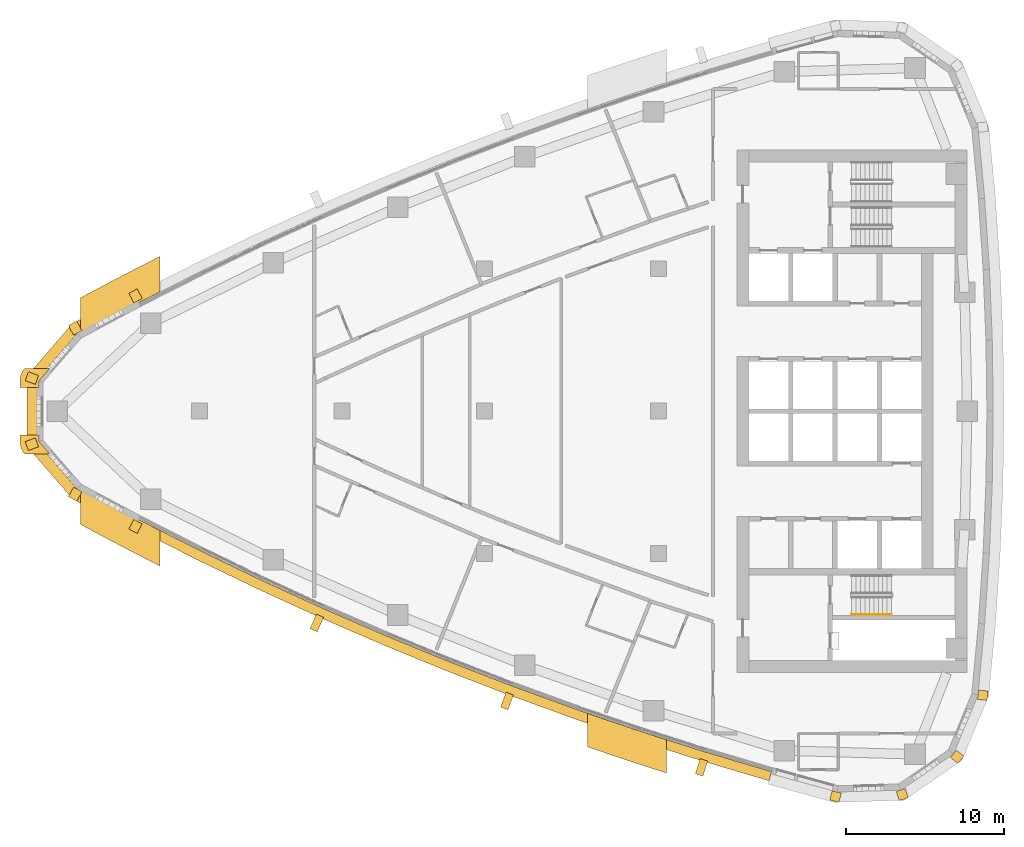
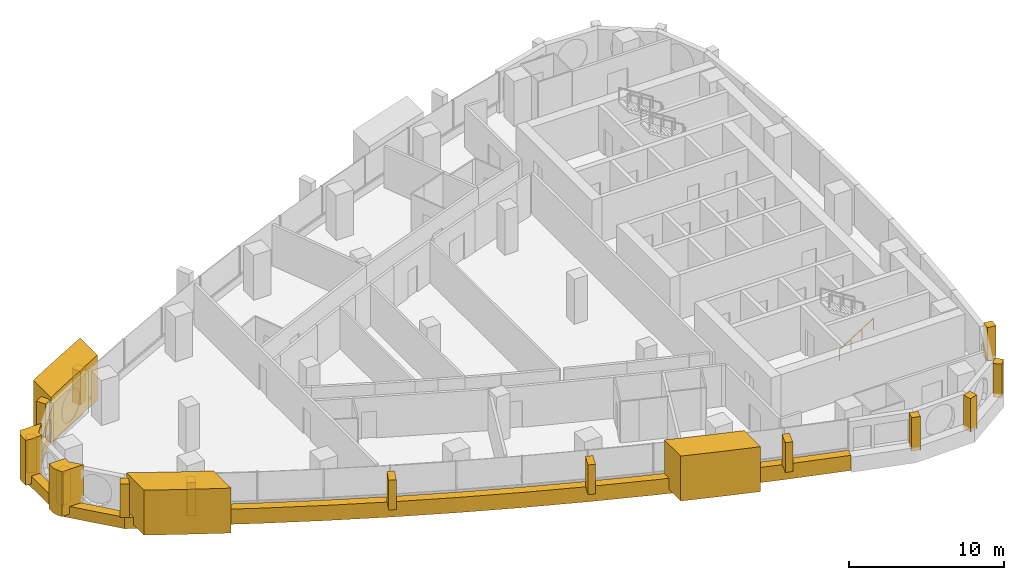
# One storey, part 13 of 16: 20 coverings, 1 railing.
"""IFC4 building model written with IfcOpenShell, lengths in metres."""

from ifc_helpers import new_model, si_unit, direction, frame, frame_2d, origin, origin_2d, place, context, subcontext, project, spatial, polyline, rectangle, circle, outline, extrude, material, layer, layer_set, type_object, element, save


model = new_model("IFC4")

# Units and contexts
model_context = context("Model", 3, precision=1e-05, world=origin(), true_north=direction((0.0, 1.0)))
body_context = subcontext(model_context, "Body", "Model", "MODEL_VIEW")
ifc_project = project(units=[si_unit("LENGTHUNIT", "METRE"), si_unit("AREAUNIT", "SQUARE_METRE"), si_unit("VOLUMEUNIT", "CUBIC_METRE"), si_unit("PLANEANGLEUNIT", "RADIAN"), si_unit("MASSUNIT", "GRAM", prefix="KILO")], contexts=[model_context])

# Site, building, storey
site_placement = place(None, origin())
site = spatial("IfcSite", under=ifc_project, at=site_placement, CompositionType="ELEMENT")
building_placement = place(site_placement, origin())
building = spatial("IfcBuilding", under=site, at=building_placement, Name="Ostrand Prow Hotel Tower", CompositionType="ELEMENT")
storey_placement = place(building_placement, frame((0.0, 0.0, 186.14990234375)))
storey = spatial("IfcBuildingStorey", under=building, at=storey_placement, Name="L46", CompositionType="ELEMENT", Elevation=186.14990234375)

# Coverings
ifc_material_1 = material(Name="Bronze anodised aluminium cladding", Category="aluminium")
ifc_layer_1 = layer(ifc_material_1, 0.60009765625)
ifc_layer_set_1 = layer_set([ifc_layer_1], Name="Bronze anodised aluminium cladding")
covering_type_1 = type_object("IfcCoveringType", Name="Bronze prow band 899x600", PredefinedType="CLADDING", material=ifc_layer_set_1)
covering_1_placement = place(storey_placement, frame((0.0, 0.0, -0.2998046875)))
element("IfcCovering", 1, at=covering_1_placement, inside=storey, type_object=covering_type_1, Name="Bronze prow band", PredefinedType="CLADDING", context=body_context, shape_type="SweptSolid", body=[
    extrude(outline(polyline([(11.8037109375, 7.58154296875), (7.9873046875, 5.546630859375), (5.09521484375, 2.20849609375), (5.09521484375, -2.20849609375), (7.9873046875, -5.546630859375), (11.8037109375, -7.58154296875), (12.117431640625, -6.978515625), (8.3134765625, -4.949951171875), (5.732421875, -1.970703125), (5.732421875, 1.970703125), (8.3134765625, 4.949951171875), (12.117431640625, 6.978515625), (11.8037109375, 7.58154296875)])), origin(), (0.0, 0.0, 1.0), 0.89990234375),
])
ifc_material_2 = material(Name="Bronze anodised aluminium cladding", Category="aluminium")
ifc_layer_2 = layer(ifc_material_2, 0.60009765625)
ifc_layer_set_2 = layer_set([ifc_layer_2], Name="Bronze anodised aluminium cladding")
covering_type_2 = type_object("IfcCoveringType", Name="Bronze spandrel band 1200x600", PredefinedType="CLADDING", material=ifc_layer_set_2)
covering_2_placement = place(storey_placement, frame((0.0, 0.0, -0.2998046875)))
element("IfcCovering", 2, at=covering_2_placement, inside=storey, type_object=covering_type_2, Name="Spandrel band S1", PredefinedType="CLADDING", context=body_context, shape_type="SweptSolid", body=[
    extrude(outline(polyline([(11.9052734375, -7.38623046875), (15.757568359375, -9.341796875), (19.648681640625, -11.219482421875), (23.57666015625, -13.0185546875), (27.5400390625, -14.738037109375), (31.537353515625, -16.37744140625), (35.566650390625, -17.93603515625), (39.626708984375, -19.4130859375), (43.7158203125, -20.80810546875), (47.831787109375, -22.12060546875), (51.9736328125, -23.35009765625), (52.138427734375, -22.773193359375), (48.00830078125, -21.547119140625), (43.90380859375, -20.23828125), (39.826171875, -18.84716796875), (35.777587890625, -17.374267578125), (31.759521484375, -15.820068359375), (27.773193359375, -14.185302734375), (23.821044921875, -12.470458984375), (19.90380859375, -10.676513671875), (16.023681640625, -8.80419921875), (12.18212890625, -6.85400390625), (11.9052734375, -7.38623046875)])), origin(), (0.0, 0.0, 1.0), 1.199951171875),
])
ifc_material_3 = material(Name="Limestone cladding", Category="masonry")
ifc_layer_3 = layer(ifc_material_3, 5.0)
ifc_layer_set_3 = layer_set([ifc_layer_3], Name="Limestone cladding")
covering_type_3 = type_object("IfcCoveringType", Name="Portal jamb pilaster limestone", PredefinedType="CLADDING", material=ifc_layer_set_3)
covering_3_placement = place(storey_placement, origin())
element("IfcCovering", 3, at=covering_3_placement, inside=storey, type_object=covering_type_3, Name="Portal jamb SA L46", PredefinedType="CLADDING", context=body_context, shape_type="SweptSolid", body=[
    extrude(outline(polyline([(8.5, -4.89208984375), (8.5, -7.1669921875), (9.5, -7.702392578125), (10.5, -8.231201171875), (11.5, -8.75341796875), (12.5, -9.268798828125), (13.5, -9.777587890625), (13.5, -7.533935546875), (12.5, -7.01904296875), (11.5, -6.497314453125), (10.5, -5.968994140625), (9.5, -5.43408203125), (8.5, -4.89208984375)])), origin(), (0.0, 0.0, 1.0), 3.550048828125),
])
covering_4_placement = place(storey_placement, origin())
element("IfcCovering", 4, at=covering_4_placement, inside=storey, type_object=covering_type_3, Name="Portal jamb SB L46", PredefinedType="CLADDING", context=body_context, shape_type="SweptSolid", body=[
    extrude(outline(polyline([(40.5, -19.08349609375), (40.5, -21.200439453125), (41.5, -21.542724609375), (42.5, -21.879638671875), (43.5, -22.211181640625), (44.5, -22.537109375), (45.5, -22.85791015625), (45.5, -20.75830078125), (44.5, -20.43408203125), (43.5, -20.104736328125), (42.5, -19.769775390625), (41.5, -19.429443359375), (40.5, -19.08349609375)])), origin(), (0.0, 0.0, 1.0), 3.550048828125),
])
covering_5_placement = place(storey_placement, origin())
element("IfcCovering", 5, at=covering_5_placement, inside=storey, type_object=covering_type_3, Name="Portal jamb NA L46", PredefinedType="CLADDING", context=body_context, shape_type="SweptSolid", body=[
    extrude(outline(polyline([(8.5, 4.89208984375), (9.5, 5.43408203125), (10.5, 5.968994140625), (11.5, 6.497314453125), (12.5, 7.01904296875), (13.5, 7.533935546875), (13.5, 9.777587890625), (12.5, 9.268798828125), (11.5, 8.75341796875), (10.5, 8.231201171875), (9.5, 7.702392578125), (8.5, 7.1669921875), (8.5, 4.89208984375)])), origin(), (0.0, 0.0, 1.0), 3.550048828125),
])
ifc_material_4 = material(Name="Limestone cladding", Category="masonry")
ifc_layer_4 = layer(ifc_material_4, 0.5)
ifc_layer_set_4 = layer_set([ifc_layer_4], Name="Limestone cladding")
covering_type_4 = type_object("IfcCoveringType", Name="Precast stone fin 500x900", PredefinedType="CLADDING", material=ifc_layer_set_4)
for number, where, z_axis, x_axis, name in (
    (6, (23.6171875, -12.92724609375, 0.900146484375), (0.0, 0.0, 1.0), (-0.407021798392, -0.913418444982, 0.0), "Stone fin S 4"),
    (7, (35.601806640625, -17.84228515625, 0.900146484375), (0.0, 0.0, 1.0), (-0.351310716449, -0.936258928133, 0.0), "Stone fin S 7"),
):
    element("IfcCovering", number, at=place(storey_placement, frame(where, z_axis=z_axis, x_axis=x_axis)), inside=storey, type_object=covering_type_4, Name=name, PredefinedType="CLADDING", context=body_context, shape_type="SweptSolid", body=[
        extrude(rectangle(XDim=1.0, YDim=0.5, at=frame_2d((0.5, 0.0))), origin(), (0.0, 0.0, 1.0), 2.349853515625),
    ])
covering_6_placement = place(storey_placement, frame((47.861083984375, -22.025146484375, 0.900146484375), z_axis=(0.0, 0.0, 1.0), x_axis=(-0.294017207984, -0.955800126287, 0.0)))
element("IfcCovering", 8, at=covering_6_placement, inside=storey, type_object=covering_type_4, Name="Stone fin S 10", PredefinedType="CLADDING", context=body_context, shape_type="SweptSolid", body=[
    extrude(rectangle(XDim=0.999755859375, YDim=0.5, at=frame_2d((0.5, 0.0))), origin(), (0.0, 0.0, 1.0), 2.349853515625),
])
ifc_material_5 = material(Name="Limestone cladding", Category="masonry")
ifc_layer_5 = layer(ifc_material_5, 0.60009765625)
ifc_layer_set_5 = layer_set([ifc_layer_5], Name="Limestone cladding")
covering_type_5 = type_object("IfcCoveringType", Name="Precast stone prow rib 600x600", PredefinedType="CLADDING", material=ifc_layer_set_5)
covering_7_placement = place(storey_placement, frame((12.117431640625, 6.978515625, 0.60009765625), z_axis=(0.0, 0.0, 1.0), x_axis=(-0.461522357319, 0.887128577882, 0.0)))
element("IfcCovering", 9, at=covering_7_placement, inside=storey, type_object=covering_type_5, Name="Stone prow rib 1", PredefinedType="CLADDING", context=body_context, shape_type="SweptSolid", body=[
    extrude(rectangle(XDim=0.6796875, YDim=0.60009765625, at=frame_2d((0.33984375, 0.0))), origin(), (0.0, 0.0, 1.0), 2.64990234375),
])
covering_8_placement = place(storey_placement, frame((8.3134765625, 4.949951171875, 0.60009765625), z_axis=(0.0, 0.0, 1.0), x_axis=(-0.479656876283, 0.877456141943, 0.0)))
element("IfcCovering", 10, at=covering_8_placement, inside=storey, type_object=covering_type_5, Name="Stone prow rib 2", PredefinedType="CLADDING", context=body_context, shape_type="SweptSolid", body=[
    extrude(rectangle(XDim=0.679931640625, YDim=0.60009765625, at=frame_2d((0.33984375, 0.0))), origin(), (0.0, 0.0, 1.0), 2.64990234375),
])
for number, where, z_axis, x_axis, name in (
    (11, (5.732421875, 1.970703125, 0.60009765625), (0.0, 0.0, 1.0), (-0.93688855374, 0.349628142277, 0.0), "Stone prow rib 3"),
    (12, (5.732421875, -1.970703125, 0.60009765625), (0.0, 0.0, 1.0), (-0.93688855374, -0.349628142277, 0.0), "Stone prow rib 4"),
):
    element("IfcCovering", number, at=place(storey_placement, frame(where, z_axis=z_axis, x_axis=x_axis)), inside=storey, type_object=covering_type_5, Name=name, PredefinedType="CLADDING", context=body_context, shape_type="SweptSolid", body=[
        extrude(rectangle(XDim=0.68017578125, YDim=0.60009765625, at=frame_2d((0.340087890625, 0.0))), origin(), (0.0, 0.0, 1.0), 2.64990234375),
    ])
covering_9_placement = place(storey_placement, frame((8.3134765625, -4.949951171875, 0.60009765625), z_axis=(0.0, 0.0, 1.0), x_axis=(-0.479656876283, -0.877456141943, 0.0)))
element("IfcCovering", 13, at=covering_9_placement, inside=storey, type_object=covering_type_5, Name="Stone prow rib 5", PredefinedType="CLADDING", context=body_context, shape_type="SweptSolid", body=[
    extrude(rectangle(XDim=0.679931640625, YDim=0.60009765625, at=frame_2d((0.33984375, 0.0))), origin(), (0.0, 0.0, 1.0), 2.64990234375),
])
covering_10_placement = place(storey_placement, frame((12.117431640625, -6.978515625, 0.60009765625), z_axis=(0.0, 0.0, 1.0), x_axis=(-0.461522357319, -0.887128577882, 0.0)))
element("IfcCovering", 14, at=covering_10_placement, inside=storey, type_object=covering_type_5, Name="Stone prow rib 6", PredefinedType="CLADDING", context=body_context, shape_type="SweptSolid", body=[
    extrude(rectangle(XDim=0.6796875, YDim=0.60009765625, at=frame_2d((0.33984375, 0.0))), origin(), (0.0, 0.0, 1.0), 2.64990234375),
])
for number, where, z_axis, x_axis, name in (
    (15, (56.256591796875, -24.05126953125, 0.60009765625), (0.0, 0.0, 1.0), (-0.255154261231, -0.966900358349, 0.0), "Stone corner rib 2a"),
    (16, (60.297607421875, -23.935302734375, 0.60009765625), (0.0, 0.0, 1.0), (0.310484329644, -0.950578498098, 0.0), "Stone corner rib 3a"),
    (17, (63.6279296875, -21.643798828125, 0.60009765625), (0.0, 0.0, 1.0), (0.776922530767, -0.62959620487, 0.0), "Stone corner rib 4a"),
    (18, (65.18017578125, -17.9111328125, 0.60009765625), (0.0, 0.0, 1.0), (0.994255138911, -0.107036062846, 0.0), "Stone corner rib 4b"),
):
    element("IfcCovering", number, at=place(storey_placement, frame(where, z_axis=z_axis, x_axis=x_axis)), inside=storey, type_object=covering_type_5, Name=name, PredefinedType="CLADDING", context=body_context, shape_type="SweptSolid", body=[
        extrude(rectangle(XDim=0.599853515625, YDim=0.60009765625, at=frame_2d((0.2998046875, 0.0))), origin(), (0.0, 0.0, 1.0), 2.64990234375),
    ])
ifc_material_6 = material(Name="Limestone cladding", Category="masonry")
ifc_layer_6 = layer(ifc_material_6, 3.0)
ifc_layer_set_6 = layer_set([ifc_layer_6], Name="Limestone cladding")
covering_type_6 = type_object("IfcCoveringType", Name="Prow nose pier limestone", PredefinedType="CLADDING", material=ifc_layer_set_6)
covering_11_placement = place(storey_placement, origin())
element("IfcCovering", 19, at=covering_11_placement, inside=storey, type_object=covering_type_6, Name="Prow spine fin N L46", PredefinedType="CLADDING", context=body_context, shape_type="SweptSolid", body=[
    extrude(outline(polyline([(4.663818359375, 1.921875), (4.663818359375, 1.5), (5.864013671875, 1.5), (5.864013671875, 1.921875), (6.5380859375, 2.699951171875), (4.950927734375, 2.699951171875), (4.881591796875, 2.611083984375), (4.816650390625, 2.507568359375), (4.762451171875, 2.39794921875), (4.719482421875, 2.283203125), (4.688720703125, 2.164794921875), (4.670166015625, 2.0439453125), (4.663818359375, 1.921875)])), origin(), (0.0, 0.0, 1.0), 3.550048828125),
])
covering_12_placement = place(storey_placement, origin())
element("IfcCovering", 20, at=covering_12_placement, inside=storey, type_object=covering_type_6, Name="Prow spine fin S L46", PredefinedType="CLADDING", context=body_context, shape_type="SweptSolid", body=[
    extrude(outline(polyline([(4.881591796875, -2.611083984375), (4.950927734375, -2.699951171875), (6.5380859375, -2.699951171875), (5.864013671875, -1.921875), (5.864013671875, -1.5), (4.663818359375, -1.5), (4.663818359375, -1.921875), (4.670166015625, -2.0439453125), (4.688720703125, -2.164794921875), (4.719482421875, -2.283203125), (4.762451171875, -2.39794921875), (4.816650390625, -2.507568359375), (4.881591796875, -2.611083984375)])), origin(), (0.0, 0.0, 1.0), 3.550048828125),
])

# Railing
ifc_material_7 = material(Name="Stainless steel", Category="steel")
railing_type = type_object("IfcRailingType", Name="Stair handrail 900", PredefinedType="HANDRAIL", material=ifc_material_7)
railing_placement = place(storey_placement, frame((57.199951171875, -12.85009765625, 0.177490234375)))
element("IfcRailing", 21, at=railing_placement, inside=storey, type_object=railing_type, Name="L46 ST2C stair handrail 1", PredefinedType="HANDRAIL", context=body_context, shape_type="SweptSolid", body=[
    extrude(circle(Radius=0.02392578125, at=origin_2d()), frame((0.0, 0.0, 0.8759765625), z_axis=(0.84456994832, 0.0, 0.535445237532), x_axis=(0.0, 1.0, 0.0)), (0.0, 0.0, 1.0), 2.98388671875),
    extrude(circle(Radius=0.02099609375, at=origin_2d()), origin(), (0.0, 0.0, 1.0), 0.851806640625),
    extrude(circle(Radius=0.02099609375, at=origin_2d()), frame((0.840087890625, 0.0, 0.532470703125)), (0.0, 0.0, 1.0), 0.851806640625),
    extrude(circle(Radius=0.02099609375, at=origin_2d()), frame((1.679931640625, 0.0, 1.065185546875)), (0.0, 0.0, 1.0), 0.851806640625),
    extrude(circle(Radius=0.02099609375, at=origin_2d()), frame((2.52001953125, 0.0, 1.59765625)), (0.0, 0.0, 1.0), 0.851806640625),
])

save(model, "model.ifc")
